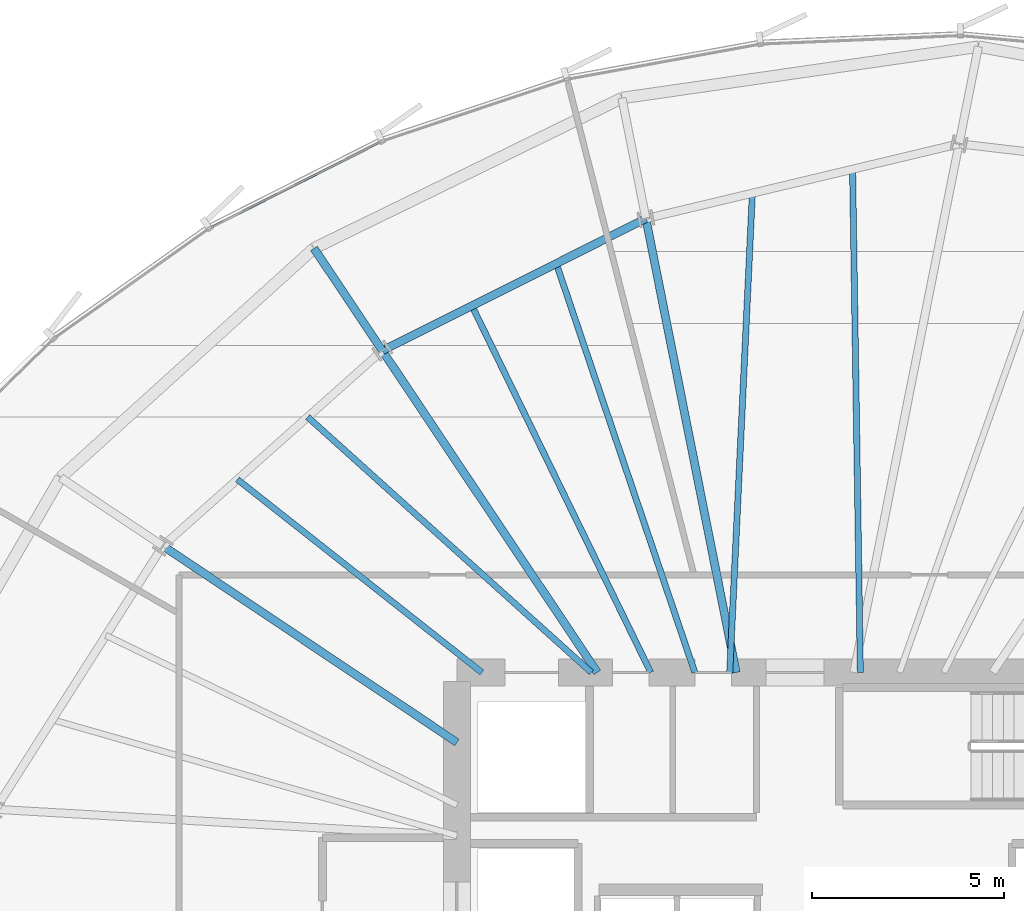
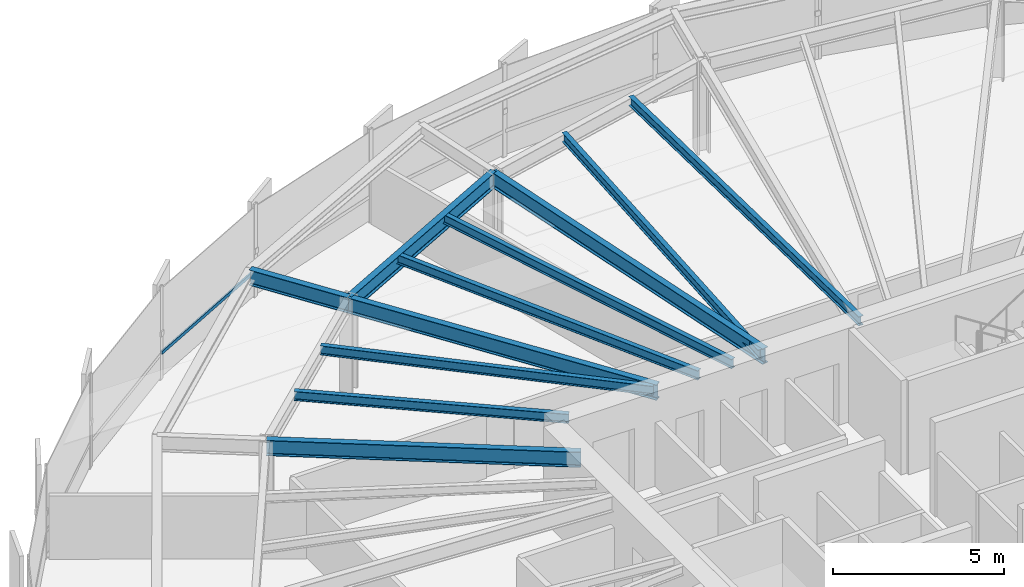
# One storey, part 19 of 35: 11 beams, 1 member, 1 element without a shape of its own.
"""IFC4 building model written with IfcOpenShell, lengths in metres."""

from ifc_helpers import new_model, si_unit, direction, frame, origin, origin_2d, place, context, subcontext, project, spatial, hollow_rectangle, i_section, extrude, source, transform, mapped, material, layer, layer_set, material_profile, profile_set, type_object, element, aggregate, save


model = new_model("IFC4")

# Units and contexts
model_context = context("Model", 3, precision=1e-05, world=origin(), true_north=direction((0.0, 1.0)))
body_context = subcontext(model_context, "Body", "Model", "MODEL_VIEW")
ifc_project = project(units=[si_unit("LENGTHUNIT", "METRE"), si_unit("AREAUNIT", "SQUARE_METRE"), si_unit("VOLUMEUNIT", "CUBIC_METRE"), si_unit("PLANEANGLEUNIT", "RADIAN"), si_unit("MASSUNIT", "GRAM", prefix="KILO"), si_unit("THERMODYNAMICTEMPERATUREUNIT", "KELVIN")], contexts=[model_context])

# Site, building, storey
site_placement = place(None, origin())
site = spatial("IfcSite", under=ifc_project, at=site_placement, CompositionType="ELEMENT")
building_placement = place(site_placement, origin())
building = spatial("IfcBuilding", under=site, at=building_placement, Name="Kethvar Cultural Tower", CompositionType="ELEMENT")
storey_placement = place(building_placement, frame((0.0, 0.0, 92.800048828125)))
storey = spatial("IfcBuildingStorey", under=building, at=storey_placement, Name="L22", CompositionType="ELEMENT", Elevation=92.800048828125)

# Beams
ifc_material_1 = material(Name="Steel S355J2", Category="steel")
ifc_material_profile_1 = material_profile(ifc_material_1, i_section(OverallWidth=0.2099609375, OverallDepth=0.550048828125, WebThickness=0.010986328125, FlangeThickness=0.01708984375, FilletRadius=0.02392578125, at=origin_2d()), Name="Steel S355J2 — IPE550")
ifc_profile_set_1 = profile_set([ifc_material_profile_1], Name="Steel S355J2 — IPE550")
beam_type_1 = type_object("IfcBeamType", Name="BM-IPE550", PredefinedType="BEAM", material=ifc_profile_set_1)
shared_shape_1 = source(origin(), body_context, "Body", "SweptSolid", [
    extrude(i_section(OverallWidth=0.2099609375, OverallDepth=0.550048828125, WebThickness=0.010986328125, FlangeThickness=0.01708984375, FilletRadius=0.02392578125, at=origin_2d()), origin(), (0.0, 0.0, 1.0), 3.2001953125),
])
beam_1_placement = place(storey_placement, frame((36.0576171875, 43.877197265625, 3.072998046875), z_axis=(-0.555544970406, 0.831486491686, 0.0), x_axis=(-0.831486491686, -0.555544970406, 0.0)))
element("IfcBeam", 1, at=beam_1_placement, inside=storey, type_object=beam_type_1, Name="L22 Perimeter Cantilever Beam RC-06", PredefinedType="BEAM", context=body_context, shape_type="MappedRepresentation", body=[
    mapped(shared_shape_1, transform((0.0, 0.0, 0.0), scale=1.0)),
])
shared_shape_2 = source(origin(), body_context, "Body", "SweptSolid", [
    extrude(i_section(OverallWidth=0.2099609375, OverallDepth=0.550048828125, WebThickness=0.010986328125, FlangeThickness=0.01708984375, FilletRadius=0.02392578125, at=origin_2d()), origin(), (0.0, 0.0, 1.0), 12.042724609375),
])
beam_2_placement = place(storey_placement, frame((45.268310546875, 35.5, 3.072998046875), z_axis=(-0.195086784047, 0.980785984142, 0.0), x_axis=(-0.980785984142, -0.195086784047, 0.0)))
element("IfcBeam", 2, at=beam_2_placement, inside=storey, type_object=beam_type_1, Name="L22 Primary Radial Beam RB-05", PredefinedType="BEAM", context=body_context, shape_type="MappedRepresentation", body=[
    mapped(shared_shape_2, transform((0.0, 0.0, 0.0), scale=1.0)),
])
shared_shape_3 = source(origin(), body_context, "Body", "SweptSolid", [
    extrude(i_section(OverallWidth=0.2099609375, OverallDepth=0.550048828125, WebThickness=0.010986328125, FlangeThickness=0.01708984375, FilletRadius=0.02392578125, at=origin_2d()), origin(), (0.0, 0.0, 1.0), 10.0751953125),
])
beam_3_placement = place(storey_placement, frame((41.655029296875, 35.5, 3.072998046875), z_axis=(-0.555566654614, 0.831472003305, 0.0), x_axis=(-0.831472003305, -0.555566654614, 0.0)))
element("IfcBeam", 3, at=beam_3_placement, inside=storey, type_object=beam_type_1, Name="L22 Primary Radial Beam RB-06", PredefinedType="BEAM", context=body_context, shape_type="MappedRepresentation", body=[
    mapped(shared_shape_3, transform((0.0, 0.0, 0.0), scale=1.0)),
])
shared_shape_4 = source(origin(), body_context, "Body", "SweptSolid", [
    extrude(i_section(OverallWidth=0.2099609375, OverallDepth=0.550048828125, WebThickness=0.010986328125, FlangeThickness=0.01708984375, FilletRadius=0.02392578125, at=origin_2d()), origin(), (0.0, 0.0, 1.0), 9.205322265625),
])
beam_4_placement = place(storey_placement, frame((38.0, 33.679931640625, 3.072998046875), z_axis=(-0.831470451236, 0.555568977465, 0.0), x_axis=(-0.555568977465, -0.831470451236, 0.0)))
element("IfcBeam", 4, at=beam_4_placement, inside=storey, type_object=beam_type_1, Name="L22 Primary Radial Beam RB-07", PredefinedType="BEAM", context=body_context, shape_type="MappedRepresentation", body=[
    mapped(shared_shape_4, transform((0.0, 0.0, 0.0), scale=1.0)),
])
ifc_material_profile_2 = material_profile(ifc_material_1, i_section(OverallWidth=0.159912109375, OverallDepth=0.330078125, WebThickness=0.007568359375, FlangeThickness=0.011474609375, FilletRadius=0.01806640625, at=origin_2d()), Name="Steel S355J2 — IPE330")
ifc_profile_set_2 = profile_set([ifc_material_profile_2], Name="Steel S355J2 — IPE330")
beam_type_2 = type_object("IfcBeamType", Name="BM-J330", PredefinedType="JOIST", material=ifc_profile_set_2)
shared_shape_5 = source(origin(), body_context, "Body", "SweptSolid", [
    extrude(i_section(OverallWidth=0.159912109375, OverallDepth=0.330078125, WebThickness=0.007568359375, FlangeThickness=0.011474609375, FilletRadius=0.01806640625, at=origin_2d()), origin(), (0.0, 0.0, 1.0), 13.098388671875),
])
beam_5_placement = place(storey_placement, frame((48.5, 35.5, 3.182861328125), z_axis=(-0.015451599057, 0.999880616917, 0.0), x_axis=(-0.999880616917, -0.015451599057, 0.0)))
element("IfcBeam", 5, at=beam_5_placement, inside=storey, type_object=beam_type_2, Name="L22 Composite Floor Joist J-04A", PredefinedType="JOIST", context=body_context, shape_type="MappedRepresentation", body=[
    mapped(shared_shape_5, transform((0.0, 0.0, 0.0), scale=1.0)),
])
shared_shape_6 = source(origin(), body_context, "Body", "SweptSolid", [
    extrude(i_section(OverallWidth=0.159912109375, OverallDepth=0.330078125, WebThickness=0.007568359375, FlangeThickness=0.011474609375, FilletRadius=0.01806640625, at=origin_2d()), origin(), (0.0, 0.0, 1.0), 12.487548828125),
])
beam_6_placement = place(storey_placement, frame((45.10009765625, 35.5, 3.182861328125), z_axis=(0.047214958818, 0.998884751943, 0.0), x_axis=(-0.998884751943, 0.047214958818, 0.0)))
element("IfcBeam", 6, at=beam_6_placement, inside=storey, type_object=beam_type_2, Name="L22 Composite Floor Joist J-04B", PredefinedType="JOIST", context=body_context, shape_type="MappedRepresentation", body=[
    mapped(shared_shape_6, transform((0.0, 0.0, 0.0), scale=1.0)),
])
shared_shape_7 = source(origin(), body_context, "Body", "SweptSolid", [
    extrude(i_section(OverallWidth=0.2099609375, OverallDepth=0.550048828125, WebThickness=0.010986328125, FlangeThickness=0.01708984375, FilletRadius=0.02392578125, at=origin_2d()), origin(), (0.0, 0.0, 1.0), 7.672607421875),
])
beam_7_placement = place(storey_placement, frame((42.9189453125, 47.311279296875, 3.072998046875), z_axis=(-0.894248932057, -0.447569935892, 0.0), x_axis=(0.447569935892, -0.894248932057, 0.0)))
element("IfcBeam", 7, at=beam_7_placement, inside=storey, type_object=beam_type_1, Name="L22 Column Ring Tie Beam CR-05", PredefinedType="BEAM", context=body_context, shape_type="MappedRepresentation", body=[
    mapped(shared_shape_7, transform((0.0, 0.0, 0.0), scale=1.0)),
])
shared_shape_8 = source(origin(), body_context, "Body", "SweptSolid", [
    extrude(i_section(OverallWidth=0.159912109375, OverallDepth=0.330078125, WebThickness=0.007568359375, FlangeThickness=0.011474609375, FilletRadius=0.01806640625, at=origin_2d()), origin(), (0.0, 0.0, 1.0), 11.23779296875),
])
beam_8_placement = place(storey_placement, frame((44.191650390625, 35.5, 3.182861328125), z_axis=(-0.32083186626, 0.94713616423, 0.0), x_axis=(-0.94713616423, -0.32083186626, 0.0)))
element("IfcBeam", 8, at=beam_8_placement, inside=storey, type_object=beam_type_2, Name="L22 Composite Floor Joist J-05A", PredefinedType="JOIST", context=body_context, shape_type="MappedRepresentation", body=[
    mapped(shared_shape_8, transform((0.0, 0.0, 0.0), scale=1.0)),
])
shared_shape_9 = source(origin(), body_context, "Body", "SweptSolid", [
    extrude(i_section(OverallWidth=0.159912109375, OverallDepth=0.330078125, WebThickness=0.007568359375, FlangeThickness=0.011474609375, FilletRadius=0.01806640625, at=origin_2d()), origin(), (0.0, 0.0, 1.0), 10.619384765625),
])
beam_9_placement = place(storey_placement, frame((43.044921875, 35.5, 3.182861328125), z_axis=(-0.438308125028, 0.898824781331, 0.0), x_axis=(-0.898824781331, -0.438308125028, 0.0)))
element("IfcBeam", 9, at=beam_9_placement, inside=storey, type_object=beam_type_2, Name="L22 Composite Floor Joist J-05B", PredefinedType="JOIST", context=body_context, shape_type="MappedRepresentation", body=[
    mapped(shared_shape_9, transform((0.0, 0.0, 0.0), scale=1.0)),
])
shared_shape_10 = source(origin(), body_context, "Body", "SweptSolid", [
    extrude(i_section(OverallWidth=0.159912109375, OverallDepth=0.330078125, WebThickness=0.007568359375, FlangeThickness=0.011474609375, FilletRadius=0.01806640625, at=origin_2d()), origin(), (0.0, 0.0, 1.0), 9.93701171875),
])
beam_10_placement = place(storey_placement, frame((41.5, 35.5, 3.182861328125), z_axis=(-0.743138974967, 0.669137103952, 0.0), x_axis=(-0.669137103952, -0.743138974967, 0.0)))
element("IfcBeam", 10, at=beam_10_placement, inside=storey, type_object=beam_type_2, Name="L22 Composite Floor Joist J-06A", PredefinedType="JOIST", context=body_context, shape_type="MappedRepresentation", body=[
    mapped(shared_shape_10, transform((0.0, 0.0, 0.0), scale=1.0)),
])
shared_shape_11 = source(origin(), body_context, "Body", "SweptSolid", [
    extrude(i_section(OverallWidth=0.159912109375, OverallDepth=0.330078125, WebThickness=0.007568359375, FlangeThickness=0.011474609375, FilletRadius=0.01806640625, at=origin_2d()), origin(), (0.0, 0.0, 1.0), 8.105712890625),
])
beam_11_placement = place(storey_placement, frame((38.64990234375, 35.5, 3.182861328125), z_axis=(-0.784895872164, 0.619627686486, 0.0), x_axis=(-0.619627686486, -0.784895872164, 0.0)))
element("IfcBeam", 11, at=beam_11_placement, inside=storey, type_object=beam_type_2, Name="L22 Composite Floor Joist J-06B", PredefinedType="JOIST", context=body_context, shape_type="MappedRepresentation", body=[
    mapped(shared_shape_11, transform((0.0, 0.0, 0.0), scale=1.0)),
])

# Curtain wall, member
ifc_material_2 = material(Name="Aluminium 6063-T6", Category="aluminium")
ifc_layer = layer(ifc_material_2, 0.179931640625, Name="Aluminium 6063-T6", Category="aluminium")
ifc_layer_set = layer_set([ifc_layer], Name="Aluminium 6063-T6 (180 mm)")
curtain_wall_type = type_object("IfcCurtainWallType", Name="CW-SYS-03-Z2", PredefinedType="NOTDEFINED", material=ifc_layer_set)
curtain_wall_placement = place(storey_placement, origin())
curtain_wall = element("IfcCurtainWall", 12, at=curtain_wall_placement, inside=storey, type_object=curtain_wall_type, Name="L22 Curtain Wall Run 02", PredefinedType="NOTDEFINED")
ifc_material_profile_3 = material_profile(ifc_material_2, hollow_rectangle(XDim=0.054931640625, YDim=0.1201171875, WallThickness=0.00390625, at=origin_2d()), Name="Aluminium 6063-T6 — RHS120x55x4")
ifc_profile_set_3 = profile_set([ifc_material_profile_3], Name="Aluminium 6063-T6 — RHS120x55x4")
member_type = type_object("IfcMemberType", Name="CW-SYS-03-Z2-TRN", PredefinedType="USERDEFINED", material=ifc_profile_set_3)
shared_shape_12 = source(origin(), body_context, "Body", "SweptSolid", [
    extrude(hollow_rectangle(XDim=0.054931640625, YDim=0.1201171875, WallThickness=0.00390625, at=origin_2d()), origin(), (0.0, 0.0, 1.0), 4.9609375),
])
member_placement = place(storey_placement, frame((36.010498046875, 49.308349609375, 0.949951171875), z_axis=(-0.892678257012, -0.450694496814, 0.0), x_axis=(0.450694496814, -0.892678257012, 0.0)))
member = element("IfcMember", 13, at=member_placement, type_object=member_type, Name="CW-L22-R02 Transom 5", ObjectType="TRANSOM", PredefinedType="USERDEFINED", context=body_context, shape_type="MappedRepresentation", body=[
    mapped(shared_shape_12, transform((0.0, 0.0, 0.0), scale=1.0)),
])
aggregate(curtain_wall, [member])

save(model, "model.ifc")
